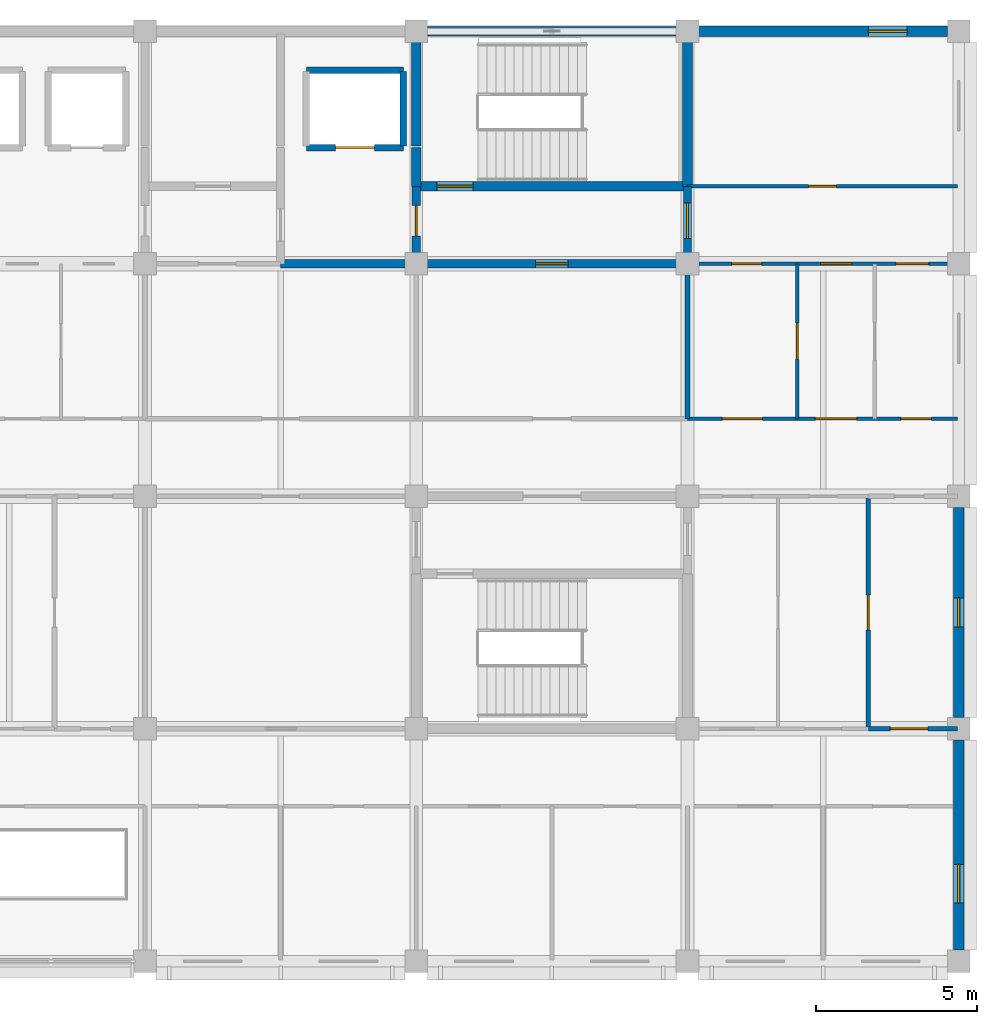
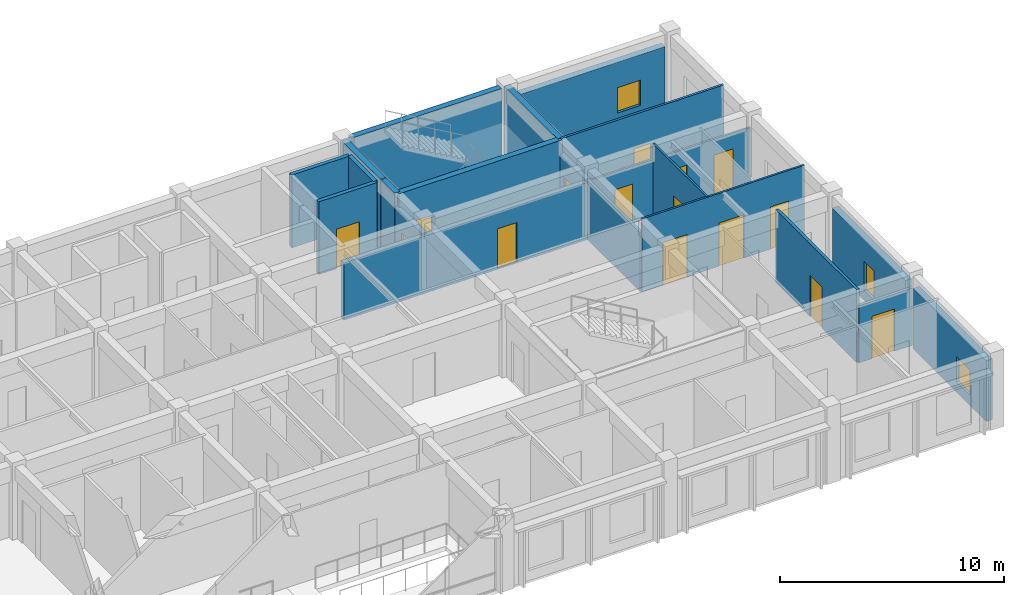
# One storey, part 14 of 17: 21 walls, 15 doors, 3 windows, 18 openings.
"""IFC4 building model written with IfcOpenShell, lengths in metres."""

from ifc_helpers import new_model, si_unit, direction, frame, frame_2d, origin, place, context, subcontext, project, spatial, rectangle, extrude, material, layer, layer_set, type_object, element, fill, save


model = new_model("IFC4")

# Units and contexts
model_context = context("Model", 3, precision=1e-05, world=origin(), true_north=direction((0.0, 1.0)))
body_context = subcontext(model_context, "Body", "Model", "MODEL_VIEW")
ifc_project = project(units=[si_unit("LENGTHUNIT", "METRE"), si_unit("AREAUNIT", "SQUARE_METRE"), si_unit("VOLUMEUNIT", "CUBIC_METRE"), si_unit("PLANEANGLEUNIT", "RADIAN"), si_unit("MASSUNIT", "GRAM", prefix="KILO")], contexts=[model_context])

# Site, building, storey
site_placement = place(None, origin())
site = spatial("IfcSite", under=ifc_project, at=site_placement, CompositionType="ELEMENT")
building_placement = place(site_placement, origin())
building = spatial("IfcBuilding", under=site, at=building_placement, Name="Chengyuan Square Courthouse", CompositionType="ELEMENT")
storey_placement = place(building_placement, frame((0.0, 0.0, 51.89990234375)))
storey = spatial("IfcBuildingStorey", under=building, at=storey_placement, Name="L12", CompositionType="ELEMENT", Elevation=51.89990234375)

# Wall, opening, window
ifc_material_1 = material(Name="Concrete C40", Category="concrete")
ifc_layer_1 = layer(ifc_material_1, 0.320068359375)
ifc_layer_set_1 = layer_set([ifc_layer_1], Name="Concrete C40")
wall_type_1 = type_object("IfcWallType", Name="WL-EW3", PredefinedType="STANDARD", material=ifc_layer_set_1)
wall_1_placement = place(storey_placement, frame((117.60009765625, 79.544921875, 0.0), z_axis=(0.0, 0.0, 1.0), x_axis=(0.0, 1.0, 0.0)))
wall_1 = element("IfcWall", 1, at=wall_1_placement, inside=storey, type_object=wall_type_1, Name="Exterior Wall WL-L12-E483", PredefinedType="STANDARD", context=body_context, shape_type="SweptSolid", body=[
    extrude(rectangle(XDim=6.510009765625, YDim=0.320068359375, at=frame_2d((3.2548828125, 0.0))), origin(), (0.0, 0.0, 1.0), 3.31005859375),
])
opening_1_placement = place(wall_1_placement, frame((1.455078125, 0.0, 0.550048828125)))
opening_1 = element("IfcOpeningElement", 2, at=opening_1_placement, cuts=wall_1, Name="Opening WN-215", PredefinedType="OPENING", context=body_context, shape_type="SweptSolid", body=[
    extrude(rectangle(XDim=1.199951171875, YDim=1.3798828125, at=frame_2d((0.60009765625, 0.68994140625))), frame((0.0, 0.172119140625, 0.0), z_axis=(0.0, -1.0, 0.0), x_axis=(1.0, 0.0, 0.0)), (0.0, 0.0, 1.0), 0.343994140625),
])
ifc_material_2 = material(Name="Thermally Broken Aluminium Triple Low-E Window", Category="aluminium")
window_type_1 = type_object("IfcWindowType", Name="WT-14", PartitioningType="SINGLE_PANEL", PredefinedType="WINDOW", material=ifc_material_2)
window_1_placement = place(opening_1_placement, origin())
window_1 = element("IfcWindow", 3, at=window_1_placement, inside=storey, type_object=window_type_1, Name="Facade Window WN-215", OverallHeight=1.3798828125, OverallWidth=1.199951171875, PartitioningType="SINGLE_PANEL", PredefinedType="WINDOW", context=body_context, shape_type="SweptSolid", body=[
    extrude(rectangle(XDim=1.199951171875, YDim=1.3798828125, at=frame_2d((0.60009765625, 0.68994140625))), frame((0.0, 0.030029296875, 0.0), z_axis=(0.0, -1.0, 0.0), x_axis=(1.0, 0.0, 0.0)), (0.0, 0.0, 1.0), 0.06005859375),
])
fill(opening_1, window_1)

wall_2_placement = place(storey_placement, frame((117.60009765625, 86.7451171875, 0.0), z_axis=(0.0, 0.0, 1.0), x_axis=(0.0, 1.0, 0.0)))
wall_2 = element("IfcWall", 4, at=wall_2_placement, inside=storey, type_object=wall_type_1, Name="Exterior Wall WL-L12-E484", PredefinedType="STANDARD", context=body_context, shape_type="SweptSolid", body=[
    extrude(rectangle(XDim=6.509765625, YDim=0.320068359375, at=frame_2d((3.2548828125, 0.0))), origin(), (0.0, 0.0, 1.0), 3.31005859375),
])
opening_2_placement = place(wall_2_placement, frame((2.804931640625, 0.0, 0.550048828125)))
opening_2 = element("IfcOpeningElement", 5, at=opening_2_placement, cuts=wall_2, Name="Opening WN-216", PredefinedType="OPENING", context=body_context, shape_type="SweptSolid", body=[
    extrude(rectangle(XDim=0.89990234375, YDim=1.56005859375, at=frame_2d((0.449951171875, 0.780029296875))), frame((0.0, 0.172119140625, 0.0), z_axis=(0.0, -1.0, 0.0), x_axis=(1.0, 0.0, 0.0)), (0.0, 0.0, 1.0), 0.343994140625),
])
window_type_2 = type_object("IfcWindowType", Name="WT-03", PartitioningType="SINGLE_PANEL", PredefinedType="WINDOW", material=ifc_material_2)
window_2_placement = place(opening_2_placement, origin())
window_2 = element("IfcWindow", 6, at=window_2_placement, inside=storey, type_object=window_type_2, Name="Facade Window WN-216", OverallHeight=1.56005859375, OverallWidth=0.89990234375, PartitioningType="SINGLE_PANEL", PredefinedType="WINDOW", context=body_context, shape_type="SweptSolid", body=[
    extrude(rectangle(XDim=0.89990234375, YDim=1.56005859375, at=frame_2d((0.449951171875, 0.780029296875))), frame((0.0, 0.030029296875, 0.0), z_axis=(0.0, -1.0, 0.0), x_axis=(1.0, 0.0, 0.0)), (0.0, 0.0, 1.0), 0.06005859375),
])
fill(opening_2, window_2)

wall_3_placement = place(storey_placement, frame((109.544921875, 108.0, 0.0), z_axis=(0.0, 0.0, 1.0), x_axis=(1.0, 0.0, 0.0)))
wall_3 = element("IfcWall", 7, at=wall_3_placement, inside=storey, type_object=wall_type_1, Name="Exterior Wall WL-L12-E486", PredefinedType="STANDARD", context=body_context, shape_type="SweptSolid", body=[
    extrude(rectangle(XDim=7.7099609375, YDim=0.320068359375, at=frame_2d((3.85498046875, 0.0))), origin(), (0.0, 0.0, 1.0), 3.31005859375),
])
opening_3_placement = place(wall_3_placement, frame((5.2548828125, 0.0, 0.550048828125)))
opening_3 = element("IfcOpeningElement", 8, at=opening_3_placement, cuts=wall_3, Name="Opening WN-218", PredefinedType="OPENING", context=body_context, shape_type="SweptSolid", body=[
    extrude(rectangle(XDim=1.199951171875, YDim=1.3798828125, at=frame_2d((0.60009765625, 0.68994140625))), frame((0.0, 0.172119140625, 0.0), z_axis=(0.0, -1.0, 0.0), x_axis=(1.0, 0.0, 0.0)), (0.0, 0.0, 1.0), 0.343994140625),
])
window_3_placement = place(opening_3_placement, origin())
window_3 = element("IfcWindow", 9, at=window_3_placement, inside=storey, type_object=window_type_1, Name="Facade Window WN-218", OverallHeight=1.3798828125, OverallWidth=1.199951171875, PartitioningType="SINGLE_PANEL", PredefinedType="WINDOW", context=body_context, shape_type="SweptSolid", body=[
    extrude(rectangle(XDim=1.199951171875, YDim=1.3798828125, at=frame_2d((0.60009765625, 0.68994140625))), frame((0.0, 0.030029296875, 0.0), z_axis=(0.0, -1.0, 0.0), x_axis=(1.0, 0.0, 0.0)), (0.0, 0.0, 1.0), 0.06005859375),
])
fill(opening_3, window_3)

# Wall, opening, door
ifc_layer_2 = layer(ifc_material_1, 0.25)
ifc_layer_set_2 = layer_set([ifc_layer_2], Name="Concrete C40")
wall_type_2 = type_object("IfcWallType", Name="WL-FW1", PredefinedType="STANDARD", material=ifc_layer_set_2)
wall_4_placement = place(storey_placement, frame((96.60009765625, 100.800048828125, 0.0), z_axis=(0.0, 0.0, 1.0), x_axis=(1.0, 0.0, 0.0)))
wall_4 = element("IfcWall", 10, at=wall_4_placement, inside=storey, type_object=wall_type_2, Name="Interior Wall WL-L12-I3672", PredefinedType="STANDARD", context=body_context, shape_type="SweptSolid", body=[
    extrude(rectangle(XDim=12.599853515625, YDim=0.25, at=frame_2d((6.2998046875, 0.0))), origin(), (0.0, 0.0, 1.0), 3.110107421875),
])
opening_4_placement = place(wall_4_placement, frame((7.89990234375, 0.0, 0.0)))
opening_4 = element("IfcOpeningElement", 11, at=opening_4_placement, cuts=wall_4, Name="Opening DR-3025", PredefinedType="OPENING", context=body_context, shape_type="SweptSolid", body=[
    extrude(rectangle(XDim=1.0, YDim=2.199951171875, at=frame_2d((0.5, 1.10009765625))), frame((0.0, 0.136962890625, 0.0), z_axis=(0.0, -1.0, 0.0), x_axis=(1.0, 0.0, 0.0)), (0.0, 0.0, 1.0), 0.27392578125),
])
ifc_material_3 = material(Name="Steel Q235B Fire Door", Category="steel")
door_type_1 = type_object("IfcDoorType", Name="DT-11", OperationType="NOTDEFINED", PredefinedType="DOOR", material=ifc_material_3)
door_1_placement = place(opening_4_placement, origin())
door_1 = element("IfcDoor", 12, at=door_1_placement, inside=storey, type_object=door_type_1, Name="Interior Door DR-3025", OperationType="SINGLE_SWING_RIGHT", OverallHeight=2.199951171875, OverallWidth=1.0, PredefinedType="DOOR", context=body_context, shape_type="SweptSolid", body=[
    extrude(rectangle(XDim=1.0, YDim=2.199951171875, at=frame_2d((0.5, 1.10009765625))), frame((0.0, 0.02490234375, 0.0), z_axis=(0.0, -1.0, 0.0), x_axis=(1.0, 0.0, 0.0)), (0.0, 0.0, 1.0), 0.050048828125),
])
fill(opening_4, door_1)

wall_5_placement = place(storey_placement, frame((100.800048828125, 100.800048828125, 0.0), z_axis=(0.0, 0.0, 1.0), x_axis=(0.0, 1.0, 0.0)))
wall_5 = element("IfcWall", 13, at=wall_5_placement, inside=storey, type_object=wall_type_2, Name="Interior Wall WL-L12-I3753", PredefinedType="STANDARD", context=body_context, shape_type="SweptSolid", body=[
    extrude(rectangle(XDim=2.39990234375, YDim=0.25, at=frame_2d((1.199951171875, 0.0))), origin(), (0.0, 0.0, 1.0), 3.210205078125),
])
opening_5_placement = place(wall_5_placement, frame((0.860107421875, 0.0, 0.0)))
opening_5 = element("IfcOpeningElement", 14, at=opening_5_placement, cuts=wall_5, Name="Opening DR-3023", PredefinedType="OPENING", context=body_context, shape_type="SweptSolid", body=[
    extrude(rectangle(XDim=0.949951171875, YDim=2.14990234375, at=frame_2d((0.47509765625, 1.074951171875))), frame((0.0, 0.136962890625, 0.0), z_axis=(0.0, -1.0, 0.0), x_axis=(1.0, 0.0, 0.0)), (0.0, 0.0, 1.0), 0.27392578125),
])
door_type_2 = type_object("IfcDoorType", Name="DT-12", OperationType="NOTDEFINED", PredefinedType="DOOR", material=ifc_material_3)
door_2_placement = place(opening_5_placement, origin())
door_2 = element("IfcDoor", 15, at=door_2_placement, inside=storey, type_object=door_type_2, Name="Interior Door DR-3023", OperationType="SINGLE_SWING_RIGHT", OverallHeight=2.14990234375, OverallWidth=0.949951171875, PredefinedType="DOOR", context=body_context, shape_type="SweptSolid", body=[
    extrude(rectangle(XDim=0.949951171875, YDim=2.14990234375, at=frame_2d((0.47509765625, 1.074951171875))), frame((0.0, 0.02490234375, 0.0), z_axis=(0.0, -1.0, 0.0), x_axis=(1.0, 0.0, 0.0)), (0.0, 0.0, 1.0), 0.050048828125),
])
fill(opening_5, door_2)

wall_6_placement = place(storey_placement, frame((109.199951171875, 100.800048828125, 0.0), z_axis=(0.0, 0.0, 1.0), x_axis=(0.0, 1.0, 0.0)))
wall_6 = element("IfcWall", 16, at=wall_6_placement, inside=storey, type_object=wall_type_2, Name="Interior Wall WL-L12-I3761", PredefinedType="STANDARD", context=body_context, shape_type="SweptSolid", body=[
    extrude(rectangle(XDim=2.39990234375, YDim=0.25, at=frame_2d((1.199951171875, 0.0))), origin(), (0.0, 0.0, 1.0), 3.210205078125),
])
opening_6_placement = place(wall_6_placement, frame((0.784912109375, 0.0, 0.0)))
opening_6 = element("IfcOpeningElement", 17, at=opening_6_placement, cuts=wall_6, Name="Opening DR-3024", PredefinedType="OPENING", context=body_context, shape_type="SweptSolid", body=[
    extrude(rectangle(XDim=1.10009765625, YDim=2.199951171875, at=frame_2d((0.550048828125, 1.10009765625))), frame((0.0, 0.136962890625, 0.0), z_axis=(0.0, -1.0, 0.0), x_axis=(1.0, 0.0, 0.0)), (0.0, 0.0, 1.0), 0.27392578125),
])
door_type_3 = type_object("IfcDoorType", Name="DT-10", OperationType="NOTDEFINED", PredefinedType="DOOR", material=ifc_material_3)
door_3_placement = place(opening_6_placement, origin())
door_3 = element("IfcDoor", 18, at=door_3_placement, inside=storey, type_object=door_type_3, Name="Interior Door DR-3024", OperationType="SINGLE_SWING_LEFT", OverallHeight=2.199951171875, OverallWidth=1.10009765625, PredefinedType="DOOR", context=body_context, shape_type="SweptSolid", body=[
    extrude(rectangle(XDim=1.10009765625, YDim=2.199951171875, at=frame_2d((0.550048828125, 1.10009765625))), frame((0.0, 0.02490234375, 0.0), z_axis=(0.0, -1.0, 0.0), x_axis=(1.0, 0.0, 0.0)), (0.0, 0.0, 1.0), 0.050048828125),
])
fill(opening_6, door_3)

ifc_material_4 = material(Name="Deliberation Room Sound-Insulated Partition")
ifc_layer_3 = layer(ifc_material_4, 0.14990234375)
ifc_layer_set_3 = layer_set([ifc_layer_3], Name="Deliberation Room Sound-Insulated Partition")
wall_type_3 = type_object("IfcWallType", Name="WL-PT3", PredefinedType="STANDARD", material=ifc_layer_set_3)
wall_7_placement = place(storey_placement, frame((114.800048828125, 86.39990234375, 0.0), z_axis=(0.0, 0.0, 1.0), x_axis=(1.0, 0.0, 0.0)))
wall_7 = element("IfcWall", 19, at=wall_7_placement, inside=storey, type_object=wall_type_3, Name="Interior Wall WL-L12-I3649", PredefinedType="STANDARD", context=body_context, shape_type="SweptSolid", body=[
    extrude(rectangle(XDim=2.760009765625, YDim=0.14990234375, at=frame_2d((1.3798828125, 0.0))), origin(), (0.0, 0.0, 1.0), 3.110107421875),
])
opening_7_placement = place(wall_7_placement, frame((0.68505859375, 0.0, 0.0)))
opening_7 = element("IfcOpeningElement", 20, at=opening_7_placement, cuts=wall_7, Name="Opening DR-3107", PredefinedType="OPENING", context=body_context, shape_type="SweptSolid", body=[
    extrude(rectangle(XDim=1.159912109375, YDim=2.300048828125, at=frame_2d((0.580078125, 1.14990234375))), frame((0.0, 0.0869140625, 0.0), z_axis=(0.0, -1.0, 0.0), x_axis=(1.0, 0.0, 0.0)), (0.0, 0.0, 1.0), 0.173828125),
])
ifc_material_5 = material(Name="Acoustic Solid-Core Timber Door", Category="wood")
door_type_4 = type_object("IfcDoorType", Name="DT-35", OperationType="NOTDEFINED", PredefinedType="DOOR", material=ifc_material_5)
door_4_placement = place(opening_7_placement, origin())
door_4 = element("IfcDoor", 21, at=door_4_placement, inside=storey, type_object=door_type_4, Name="Interior Door DR-3107", OperationType="SINGLE_SWING_RIGHT", OverallHeight=2.300048828125, OverallWidth=1.159912109375, PredefinedType="DOOR", context=body_context, shape_type="SweptSolid", body=[
    extrude(rectangle(XDim=1.159912109375, YDim=2.300048828125, at=frame_2d((0.580078125, 1.14990234375))), frame((0.0, 0.02490234375, 0.0), z_axis=(0.0, -1.0, 0.0), x_axis=(1.0, 0.0, 0.0)), (0.0, 0.0, 1.0), 0.050048828125),
])
fill(opening_7, door_4)

# Wall
wall_8_placement = place(storey_placement, frame((109.199951171875, 96.0, 0.0), z_axis=(0.0, 0.0, 1.0), x_axis=(0.0, 1.0, 0.0)))
element("IfcWall", 22, at=wall_8_placement, inside=storey, type_object=wall_type_3, Name="Interior Wall WL-L12-I3760", PredefinedType="STANDARD", context=body_context, shape_type="SweptSolid", body=[
    extrude(rectangle(XDim=4.800048828125, YDim=0.14990234375, at=frame_2d((2.39990234375, 0.0))), origin(), (0.0, 0.0, 1.0), 3.210205078125),
])

# Wall, opening, door
wall_9_placement = place(storey_placement, frame((114.800048828125, 86.39990234375, 0.0), z_axis=(0.0, 0.0, 1.0), x_axis=(0.0, 1.0, 0.0)))
wall_9 = element("IfcWall", 23, at=wall_9_placement, inside=storey, type_object=wall_type_3, Name="Interior Wall WL-L12-I3766", PredefinedType="STANDARD", context=body_context, shape_type="SweptSolid", body=[
    extrude(rectangle(XDim=7.2001953125, YDim=0.14990234375, at=frame_2d((3.60009765625, 0.0))), origin(), (0.0, 0.0, 1.0), 3.960205078125),
])
opening_8_placement = place(wall_9_placement, frame((3.06005859375, 0.0, 0.0)))
opening_8 = element("IfcOpeningElement", 24, at=opening_8_placement, cuts=wall_9, Name="Opening DR-3105", PredefinedType="OPENING", context=body_context, shape_type="SweptSolid", body=[
    extrude(rectangle(XDim=1.080078125, YDim=2.25, at=frame_2d((0.5400390625, 1.125))), frame((0.0, 0.0869140625, 0.0), z_axis=(0.0, -1.0, 0.0), x_axis=(1.0, 0.0, 0.0)), (0.0, 0.0, 1.0), 0.173828125),
])
door_type_5 = type_object("IfcDoorType", Name="DT-33", OperationType="NOTDEFINED", PredefinedType="DOOR", material=ifc_material_5)
door_5_placement = place(opening_8_placement, origin())
door_5 = element("IfcDoor", 25, at=door_5_placement, inside=storey, type_object=door_type_5, Name="Interior Door DR-3105", OperationType="SINGLE_SWING_RIGHT", OverallHeight=2.25, OverallWidth=1.080078125, PredefinedType="DOOR", context=body_context, shape_type="SweptSolid", body=[
    extrude(rectangle(XDim=1.080078125, YDim=2.25, at=frame_2d((0.5400390625, 1.125))), frame((0.0, 0.02490234375, 0.0), z_axis=(0.0, -1.0, 0.0), x_axis=(1.0, 0.0, 0.0)), (0.0, 0.0, 1.0), 0.050048828125),
])
fill(opening_8, door_5)

ifc_material_6 = material(Name="Judges Chambers Gypsum Stud Partition")
ifc_layer_4 = layer(ifc_material_6, 0.1201171875)
ifc_layer_set_4 = layer_set([ifc_layer_4], Name="Judges Chambers Gypsum Stud Partition")
wall_type_4 = type_object("IfcWallType", Name="WL-PT5", PredefinedType="STANDARD", material=ifc_layer_set_4)
wall_10_placement = place(storey_placement, frame((109.199951171875, 103.199951171875, 0.0), z_axis=(0.0, 0.0, 1.0), x_axis=(1.0, 0.0, 0.0)))
wall_10 = element("IfcWall", 26, at=wall_10_placement, inside=storey, type_object=wall_type_4, Name="Interior Wall WL-L12-I3679", PredefinedType="STANDARD", context=body_context, shape_type="SweptSolid", body=[
    extrude(rectangle(XDim=8.360107421875, YDim=0.1201171875, at=frame_2d((4.18017578125, 0.0))), origin(), (0.0, 0.0, 1.0), 3.960205078125),
])
opening_9_placement = place(wall_10_placement, frame((3.75, 0.0, 0.0)))
opening_9 = element("IfcOpeningElement", 27, at=opening_9_placement, cuts=wall_10, Name="Opening DR-3049", PredefinedType="OPENING", context=body_context, shape_type="SweptSolid", body=[
    extrude(rectangle(XDim=0.860107421875, YDim=2.10009765625, at=frame_2d((0.43017578125, 1.050048828125))), frame((0.0, 0.072021484375, 0.0), z_axis=(0.0, -1.0, 0.0), x_axis=(1.0, 0.0, 0.0)), (0.0, 0.0, 1.0), 0.14404296875),
])
door_type_6 = type_object("IfcDoorType", Name="DT-28", OperationType="NOTDEFINED", PredefinedType="DOOR", material=ifc_material_5)
door_6_placement = place(opening_9_placement, origin())
door_6 = element("IfcDoor", 28, at=door_6_placement, inside=storey, type_object=door_type_6, Name="Interior Door DR-3049", OperationType="SINGLE_SWING_LEFT", OverallHeight=2.10009765625, OverallWidth=0.860107421875, PredefinedType="DOOR", context=body_context, shape_type="SweptSolid", body=[
    extrude(rectangle(XDim=0.860107421875, YDim=2.10009765625, at=frame_2d((0.43017578125, 1.050048828125))), frame((0.0, 0.02490234375, 0.0), z_axis=(0.0, -1.0, 0.0), x_axis=(1.0, 0.0, 0.0)), (0.0, 0.0, 1.0), 0.050048828125),
])
fill(opening_9, door_6)

# Wall, openings, doors
ifc_material_7 = material(Name="Gypsum Plasterboard Acoustic Stud Partition")
ifc_layer_5 = layer(ifc_material_7, 0.10009765625)
ifc_layer_set_5 = layer_set([ifc_layer_5], Name="Gypsum Plasterboard Acoustic Stud Partition")
wall_type_5 = type_object("IfcWallType", Name="WL-PT6", PredefinedType="STANDARD", material=ifc_layer_set_5)
wall_11_placement = place(storey_placement, frame((109.199951171875, 96.0, 0.0), z_axis=(0.0, 0.0, 1.0), x_axis=(1.0, 0.0, 0.0)))
wall_11 = element("IfcWall", 29, at=wall_11_placement, inside=storey, type_object=wall_type_5, Name="Interior Wall WL-L12-I3666", PredefinedType="STANDARD", context=body_context, shape_type="SweptSolid", body=[
    extrude(rectangle(XDim=8.360107421875, YDim=0.10009765625, at=frame_2d((4.18017578125, 0.0))), origin(), (0.0, 0.0, 1.0), 3.960205078125),
])
opening_10_placement = place(wall_11_placement, frame((1.080078125, 0.0, 0.0)))
opening_10 = element("IfcOpeningElement", 30, at=opening_10_placement, cuts=wall_11, Name="Opening DR-3075", PredefinedType="OPENING", context=body_context, shape_type="SweptSolid", body=[
    extrude(rectangle(XDim=1.239990234375, YDim=2.300048828125, at=frame_2d((0.6201171875, 1.14990234375))), frame((0.0, 0.06201171875, 0.0), z_axis=(0.0, -1.0, 0.0), x_axis=(1.0, 0.0, 0.0)), (0.0, 0.0, 1.0), 0.1240234375),
])
opening_11_placement = place(wall_11_placement, frame((3.9599609375, 0.0, 0.0)))
opening_11 = element("IfcOpeningElement", 31, at=opening_11_placement, cuts=wall_11, Name="Opening DR-3076", PredefinedType="OPENING", context=body_context, shape_type="SweptSolid", body=[
    extrude(rectangle(XDim=1.280029296875, YDim=2.35009765625, at=frame_2d((0.64013671875, 1.175048828125))), frame((0.0, 0.06201171875, 0.0), z_axis=(0.0, -1.0, 0.0), x_axis=(1.0, 0.0, 0.0)), (0.0, 0.0, 1.0), 0.1240234375),
])
opening_12_placement = place(wall_11_placement, frame((6.610107421875, 0.0, 0.0)))
opening_12 = element("IfcOpeningElement", 32, at=opening_12_placement, cuts=wall_11, Name="Opening DR-3077", PredefinedType="OPENING", context=body_context, shape_type="SweptSolid", body=[
    extrude(rectangle(XDim=0.93994140625, YDim=2.300048828125, at=frame_2d((0.469970703125, 1.14990234375))), frame((0.0, 0.06201171875, 0.0), z_axis=(0.0, -1.0, 0.0), x_axis=(1.0, 0.0, 0.0)), (0.0, 0.0, 1.0), 0.1240234375),
])
door_type_7 = type_object("IfcDoorType", Name="DT-37", OperationType="NOTDEFINED", PredefinedType="DOOR", material=ifc_material_5)
door_7_placement = place(opening_10_placement, origin())
door_7 = element("IfcDoor", 33, at=door_7_placement, inside=storey, type_object=door_type_7, Name="Interior Door DR-3075", OperationType="SINGLE_SWING_RIGHT", OverallHeight=2.300048828125, OverallWidth=1.239990234375, PredefinedType="DOOR", context=body_context, shape_type="SweptSolid", body=[
    extrude(rectangle(XDim=1.239990234375, YDim=2.300048828125, at=frame_2d((0.6201171875, 1.14990234375))), frame((0.0, 0.02490234375, 0.0), z_axis=(0.0, -1.0, 0.0), x_axis=(1.0, 0.0, 0.0)), (0.0, 0.0, 1.0), 0.050048828125),
])
fill(opening_10, door_7)
door_type_8 = type_object("IfcDoorType", Name="DT-38", OperationType="NOTDEFINED", PredefinedType="DOOR", material=ifc_material_5)
door_8_placement = place(opening_11_placement, origin())
door_8 = element("IfcDoor", 34, at=door_8_placement, inside=storey, type_object=door_type_8, Name="Interior Door DR-3076", OperationType="SINGLE_SWING_LEFT", OverallHeight=2.35009765625, OverallWidth=1.280029296875, PredefinedType="DOOR", context=body_context, shape_type="SweptSolid", body=[
    extrude(rectangle(XDim=1.280029296875, YDim=2.35009765625, at=frame_2d((0.64013671875, 1.175048828125))), frame((0.0, 0.02490234375, 0.0), z_axis=(0.0, -1.0, 0.0), x_axis=(1.0, 0.0, 0.0)), (0.0, 0.0, 1.0), 0.050048828125),
])
fill(opening_11, door_8)
door_type_9 = type_object("IfcDoorType", Name="DT-39", OperationType="NOTDEFINED", PredefinedType="DOOR", material=ifc_material_5)
door_9_placement = place(opening_12_placement, origin())
door_9 = element("IfcDoor", 35, at=door_9_placement, inside=storey, type_object=door_type_9, Name="Interior Door DR-3077", OperationType="SINGLE_SWING_RIGHT", OverallHeight=2.300048828125, OverallWidth=0.93994140625, PredefinedType="DOOR", context=body_context, shape_type="SweptSolid", body=[
    extrude(rectangle(XDim=0.93994140625, YDim=2.300048828125, at=frame_2d((0.469970703125, 1.14990234375))), frame((0.0, 0.02490234375, 0.0), z_axis=(0.0, -1.0, 0.0), x_axis=(1.0, 0.0, 0.0)), (0.0, 0.0, 1.0), 0.050048828125),
])
fill(opening_12, door_9)

wall_12_placement = place(storey_placement, frame((109.199951171875, 100.800048828125, 0.0), z_axis=(0.0, 0.0, 1.0), x_axis=(1.0, 0.0, 0.0)))
wall_12 = element("IfcWall", 36, at=wall_12_placement, inside=storey, type_object=wall_type_5, Name="Interior Wall WL-L12-I3673", PredefinedType="STANDARD", context=body_context, shape_type="SweptSolid", body=[
    extrude(rectangle(XDim=8.360107421875, YDim=0.10009765625, at=frame_2d((4.18017578125, 0.0))), origin(), (0.0, 0.0, 1.0), 3.110107421875),
])
opening_13_placement = place(wall_12_placement, frame((1.375, 0.0, 0.0)))
opening_13 = element("IfcOpeningElement", 37, at=opening_13_placement, cuts=wall_12, Name="Opening DR-3050", PredefinedType="OPENING", context=body_context, shape_type="SweptSolid", body=[
    extrude(rectangle(XDim=0.919921875, YDim=2.14990234375, at=frame_2d((0.4599609375, 1.074951171875))), frame((0.0, 0.06201171875, 0.0), z_axis=(0.0, -1.0, 0.0), x_axis=(1.0, 0.0, 0.0)), (0.0, 0.0, 1.0), 0.1240234375),
])
opening_14_placement = place(wall_12_placement, frame((4.1201171875, 0.0, 0.0)))
opening_14 = element("IfcOpeningElement", 38, at=opening_14_placement, cuts=wall_12, Name="Opening DR-3051", PredefinedType="OPENING", context=body_context, shape_type="SweptSolid", body=[
    extrude(rectangle(XDim=0.9599609375, YDim=2.199951171875, at=frame_2d((0.47998046875, 1.10009765625))), frame((0.0, 0.06201171875, 0.0), z_axis=(0.0, -1.0, 0.0), x_axis=(1.0, 0.0, 0.0)), (0.0, 0.0, 1.0), 0.1240234375),
])
opening_15_placement = place(wall_12_placement, frame((6.465087890625, 0.0, 0.0)))
opening_15 = element("IfcOpeningElement", 39, at=opening_15_placement, cuts=wall_12, Name="Opening DR-3052", PredefinedType="OPENING", context=body_context, shape_type="SweptSolid", body=[
    extrude(rectangle(XDim=1.0, YDim=2.25, at=frame_2d((0.5, 1.125))), frame((0.0, 0.06201171875, 0.0), z_axis=(0.0, -1.0, 0.0), x_axis=(1.0, 0.0, 0.0)), (0.0, 0.0, 1.0), 0.1240234375),
])
door_type_10 = type_object("IfcDoorType", Name="DT-29", OperationType="NOTDEFINED", PredefinedType="DOOR", material=ifc_material_5)
door_10_placement = place(opening_13_placement, origin())
door_10 = element("IfcDoor", 40, at=door_10_placement, inside=storey, type_object=door_type_10, Name="Interior Door DR-3050", OperationType="SINGLE_SWING_RIGHT", OverallHeight=2.14990234375, OverallWidth=0.919921875, PredefinedType="DOOR", context=body_context, shape_type="SweptSolid", body=[
    extrude(rectangle(XDim=0.919921875, YDim=2.14990234375, at=frame_2d((0.4599609375, 1.074951171875))), frame((0.0, 0.02490234375, 0.0), z_axis=(0.0, -1.0, 0.0), x_axis=(1.0, 0.0, 0.0)), (0.0, 0.0, 1.0), 0.050048828125),
])
fill(opening_13, door_10)
door_type_11 = type_object("IfcDoorType", Name="DT-30", OperationType="NOTDEFINED", PredefinedType="DOOR", material=ifc_material_5)
door_11_placement = place(opening_14_placement, origin())
door_11 = element("IfcDoor", 41, at=door_11_placement, inside=storey, type_object=door_type_11, Name="Interior Door DR-3051", OperationType="SINGLE_SWING_LEFT", OverallHeight=2.199951171875, OverallWidth=0.9599609375, PredefinedType="DOOR", context=body_context, shape_type="SweptSolid", body=[
    extrude(rectangle(XDim=0.9599609375, YDim=2.199951171875, at=frame_2d((0.47998046875, 1.10009765625))), frame((0.0, 0.02490234375, 0.0), z_axis=(0.0, -1.0, 0.0), x_axis=(1.0, 0.0, 0.0)), (0.0, 0.0, 1.0), 0.050048828125),
])
fill(opening_14, door_11)
door_type_12 = type_object("IfcDoorType", Name="DT-31", OperationType="NOTDEFINED", PredefinedType="DOOR", material=ifc_material_5)
door_12_placement = place(opening_15_placement, origin())
door_12 = element("IfcDoor", 42, at=door_12_placement, inside=storey, type_object=door_type_12, Name="Interior Door DR-3052", OperationType="SINGLE_SWING_RIGHT", OverallHeight=2.25, OverallWidth=1.0, PredefinedType="DOOR", context=body_context, shape_type="SweptSolid", body=[
    extrude(rectangle(XDim=1.0, YDim=2.25, at=frame_2d((0.5, 1.125))), frame((0.0, 0.02490234375, 0.0), z_axis=(0.0, -1.0, 0.0), x_axis=(1.0, 0.0, 0.0)), (0.0, 0.0, 1.0), 0.050048828125),
])
fill(opening_15, door_12)

# Wall, opening, door
wall_13_placement = place(storey_placement, frame((112.60009765625, 96.0, 0.0), z_axis=(0.0, 0.0, 1.0), x_axis=(0.0, 1.0, 0.0)))
wall_13 = element("IfcWall", 43, at=wall_13_placement, inside=storey, type_object=wall_type_5, Name="Interior Wall WL-L12-I3764", PredefinedType="STANDARD", context=body_context, shape_type="SweptSolid", body=[
    extrude(rectangle(XDim=4.800048828125, YDim=0.10009765625, at=frame_2d((2.39990234375, 0.0))), origin(), (0.0, 0.0, 1.0), 3.960205078125),
])
opening_16_placement = place(wall_13_placement, frame((1.840087890625, 0.0, 0.0)))
opening_16 = element("IfcOpeningElement", 44, at=opening_16_placement, cuts=wall_13, Name="Opening DR-3089", PredefinedType="OPENING", context=body_context, shape_type="SweptSolid", body=[
    extrude(rectangle(XDim=1.1201171875, YDim=2.25, at=frame_2d((0.56005859375, 1.125))), frame((0.0, 0.06201171875, 0.0), z_axis=(0.0, -1.0, 0.0), x_axis=(1.0, 0.0, 0.0)), (0.0, 0.0, 1.0), 0.1240234375),
])
door_type_13 = type_object("IfcDoorType", Name="DT-34", OperationType="NOTDEFINED", PredefinedType="DOOR", material=ifc_material_5)
door_13_placement = place(opening_16_placement, origin())
door_13 = element("IfcDoor", 45, at=door_13_placement, inside=storey, type_object=door_type_13, Name="Interior Door DR-3089", OperationType="SINGLE_SWING_RIGHT", OverallHeight=2.25, OverallWidth=1.1201171875, PredefinedType="DOOR", context=body_context, shape_type="SweptSolid", body=[
    extrude(rectangle(XDim=1.1201171875, YDim=2.25, at=frame_2d((0.56005859375, 1.125))), frame((0.0, 0.02490234375, 0.0), z_axis=(0.0, -1.0, 0.0), x_axis=(1.0, 0.0, 0.0)), (0.0, 0.0, 1.0), 0.050048828125),
])
fill(opening_16, door_13)

ifc_material_8 = material(Name="Reinforced Masonry Shaft Enclosure", Category="masonry")
ifc_layer_6 = layer(ifc_material_8, 0.199951171875)
ifc_layer_set_6 = layer_set([ifc_layer_6], Name="Reinforced Masonry Shaft Enclosure")
wall_type_6 = type_object("IfcWallType", Name="WL-SH1", PredefinedType="STANDARD", material=ifc_layer_set_6)
wall_14_placement = place(storey_placement, frame((97.39990234375, 104.39990234375, 0.0), z_axis=(0.0, 0.0, 1.0), x_axis=(1.0, 0.0, 0.0)))
wall_14 = element("IfcWall", 46, at=wall_14_placement, inside=storey, type_object=wall_type_6, Name="Interior Wall WL-L12-I3687", PredefinedType="STANDARD", context=body_context, shape_type="SweptSolid", body=[
    extrude(rectangle(XDim=3.0, YDim=0.199951171875, at=frame_2d((1.5, 0.0))), origin(), (0.0, 0.0, 1.0), 3.960205078125),
])
opening_17_placement = place(wall_14_placement, frame((0.89990234375, 0.0, 0.0)))
opening_17 = element("IfcOpeningElement", 47, at=opening_17_placement, cuts=wall_14, Name="Opening LD-188", PredefinedType="OPENING", context=body_context, shape_type="SweptSolid", body=[
    extrude(rectangle(XDim=1.199951171875, YDim=2.14990234375, at=frame_2d((0.60009765625, 1.074951171875))), frame((0.0, 0.112060546875, 0.0), z_axis=(0.0, -1.0, 0.0), x_axis=(1.0, 0.0, 0.0)), (0.0, 0.0, 1.0), 0.223876953125),
])
ifc_material_9 = material(Name="Stainless Steel S30408 Lift Landing Door", Category="steel")
door_type_14 = type_object("IfcDoorType", Name="DT-05", OperationType="DOUBLE_DOOR_SLIDING", PredefinedType="DOOR", material=ifc_material_9)
door_14_placement = place(opening_17_placement, origin())
door_14 = element("IfcDoor", 48, at=door_14_placement, inside=storey, type_object=door_type_14, Name="Lift Landing Door LF-F2 L12", OperationType="DOUBLE_DOOR_SLIDING", OverallHeight=2.14990234375, OverallWidth=1.199951171875, PredefinedType="DOOR", context=body_context, shape_type="SweptSolid", body=[
    extrude(rectangle(XDim=1.199951171875, YDim=2.14990234375, at=frame_2d((0.60009765625, 1.074951171875))), frame((0.0, 0.02490234375, 0.0), z_axis=(0.0, -1.0, 0.0), x_axis=(1.0, 0.0, 0.0)), (0.0, 0.0, 1.0), 0.050048828125),
])
fill(opening_17, door_14)

# Walls
wall_15_placement = place(storey_placement, frame((97.39990234375, 106.800048828125, 0.0), z_axis=(0.0, 0.0, 1.0), x_axis=(1.0, 0.0, 0.0)))
element("IfcWall", 49, at=wall_15_placement, inside=storey, type_object=wall_type_6, Name="Interior Wall WL-L12-I3693", PredefinedType="STANDARD", context=body_context, shape_type="SweptSolid", body=[
    extrude(rectangle(XDim=3.0, YDim=0.199951171875, at=frame_2d((1.5, 0.0))), origin(), (0.0, 0.0, 1.0), 3.960205078125),
])
wall_16_placement = place(storey_placement, frame((100.39990234375, 104.449951171875, 0.0), z_axis=(0.0, 0.0, 1.0), x_axis=(0.0, 1.0, 0.0)))
element("IfcWall", 50, at=wall_16_placement, inside=storey, type_object=wall_type_6, Name="Interior Wall WL-L12-I3748", PredefinedType="STANDARD", context=body_context, shape_type="SweptSolid", body=[
    extrude(rectangle(XDim=2.300048828125, YDim=0.199951171875, at=frame_2d((1.14990234375, 0.0))), origin(), (0.0, 0.0, 1.0), 3.960205078125),
])
ifc_layer_7 = layer(ifc_material_1, 0.300048828125)
ifc_layer_set_7 = layer_set([ifc_layer_7], Name="Concrete C40")
wall_type_7 = type_object("IfcWallType", Name="WL-SW2", PredefinedType="SHEAR", material=ifc_layer_set_7)
wall_17_placement = place(storey_placement, frame((101.14501953125, 108.0, 0.0), z_axis=(0.0, 0.0, 1.0), x_axis=(1.0, 0.0, 0.0)))
element("IfcWall", 51, at=wall_17_placement, inside=storey, type_object=wall_type_7, Name="Exterior Wall WL-L12-E481", PredefinedType="SHEAR", context=body_context, shape_type="SweptSolid", body=[
    extrude(rectangle(XDim=7.7099609375, YDim=0.300048828125, at=frame_2d((3.85498046875, 0.0))), origin(), (0.0, 0.0, 1.0), 3.960205078125),
])

# Wall, opening, door
wall_18_placement = place(storey_placement, frame((100.800048828125, 103.199951171875, 0.0), z_axis=(0.0, 0.0, 1.0), x_axis=(1.0, 0.0, 0.0)))
wall_18 = element("IfcWall", 52, at=wall_18_placement, inside=storey, type_object=wall_type_7, Name="Interior Wall WL-L12-I3678", PredefinedType="SHEAR", context=body_context, shape_type="SweptSolid", body=[
    extrude(rectangle(XDim=8.39990234375, YDim=0.300048828125, at=frame_2d((4.199951171875, 0.0))), origin(), (0.0, 0.0, 1.0), 3.960205078125),
])
opening_18_placement = place(wall_18_placement, frame((0.64990234375, 0.0, 0.0)))
opening_18 = element("IfcOpeningElement", 53, at=opening_18_placement, cuts=wall_18, Name="Opening DR-3017", PredefinedType="OPENING", context=body_context, shape_type="SweptSolid", body=[
    extrude(rectangle(XDim=1.10009765625, YDim=2.199951171875, at=frame_2d((0.550048828125, 1.10009765625))), frame((0.0, 0.162109375, 0.0), z_axis=(0.0, -1.0, 0.0), x_axis=(1.0, 0.0, 0.0)), (0.0, 0.0, 1.0), 0.323974609375),
])
door_15_placement = place(opening_18_placement, origin())
door_15 = element("IfcDoor", 54, at=door_15_placement, inside=storey, type_object=door_type_3, Name="Smoke-Proof Stairwell Fire Door ST-2 DR-3017", OperationType="SINGLE_SWING_RIGHT", OverallHeight=2.199951171875, OverallWidth=1.10009765625, PredefinedType="DOOR", context=body_context, shape_type="SweptSolid", body=[
    extrude(rectangle(XDim=1.10009765625, YDim=2.199951171875, at=frame_2d((0.550048828125, 1.10009765625))), frame((0.0, 0.02490234375, 0.0), z_axis=(0.0, -1.0, 0.0), x_axis=(1.0, 0.0, 0.0)), (0.0, 0.0, 1.0), 0.050048828125),
])
fill(opening_18, door_15)

# Walls
wall_19_placement = place(storey_placement, frame((100.800048828125, 103.199951171875, 0.0), z_axis=(0.0, 0.0, 1.0), x_axis=(0.0, 1.0, 0.0)))
element("IfcWall", 55, at=wall_19_placement, inside=storey, type_object=wall_type_7, Name="Interior Wall WL-L12-I3754", PredefinedType="SHEAR", context=body_context, shape_type="SweptSolid", body=[
    extrude(rectangle(XDim=1.199951171875, YDim=0.300048828125, at=frame_2d((0.60009765625, 0.0))), origin(), (0.0, 0.0, 1.0), 3.960205078125),
])
wall_20_placement = place(storey_placement, frame((100.800048828125, 104.449951171875, 0.0), z_axis=(0.0, 0.0, 1.0), x_axis=(0.0, 1.0, 0.0)))
element("IfcWall", 56, at=wall_20_placement, inside=storey, type_object=wall_type_7, Name="Interior Wall WL-L12-I3755", PredefinedType="SHEAR", context=body_context, shape_type="SweptSolid", body=[
    extrude(rectangle(XDim=3.4599609375, YDim=0.300048828125, at=frame_2d((1.72998046875, 0.0))), origin(), (0.0, 0.0, 1.0), 3.960205078125),
])
wall_21_placement = place(storey_placement, frame((109.199951171875, 103.199951171875, 0.0), z_axis=(0.0, 0.0, 1.0), x_axis=(0.0, 1.0, 0.0)))
element("IfcWall", 57, at=wall_21_placement, inside=storey, type_object=wall_type_7, Name="Interior Wall WL-L12-I3762", PredefinedType="SHEAR", context=body_context, shape_type="SweptSolid", body=[
    extrude(rectangle(XDim=4.760009765625, YDim=0.300048828125, at=frame_2d((2.3798828125, 0.0))), origin(), (0.0, 0.0, 1.0), 3.960205078125),
])

save(model, "model.ifc")
